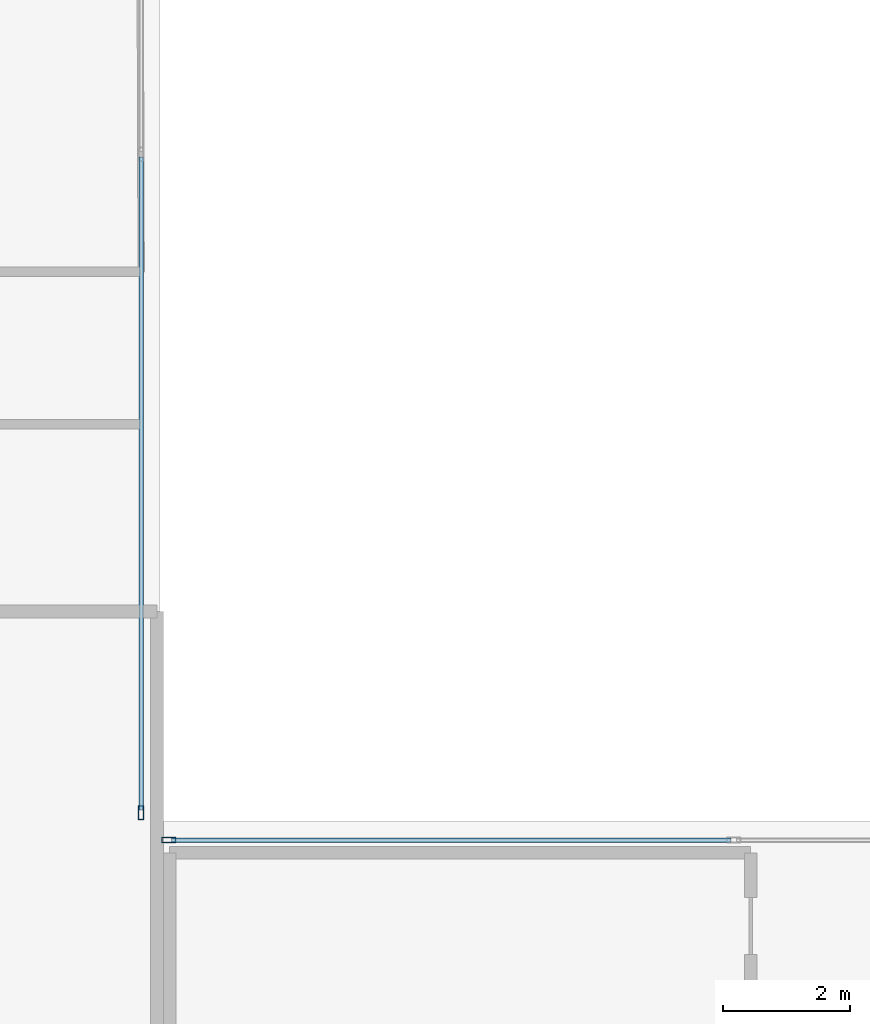
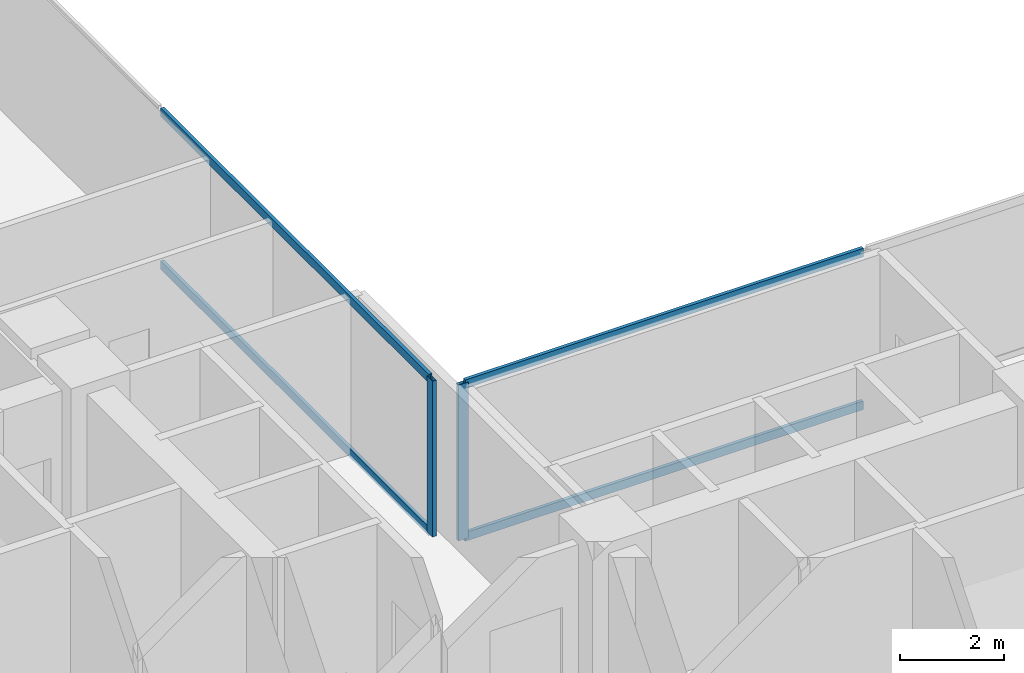
# One storey, part 7 of 27: 6 members, 2 elements without a shape of their own.
"""IFC4 building model written with IfcOpenShell, lengths in metres."""

from ifc_helpers import new_model, si_unit, direction, frame, origin, origin_2d, place, context, subcontext, project, spatial, hollow_rectangle, extrude, material, layer, layer_set, material_profile, profile_set, type_object, element, aggregate, save


model = new_model("IFC4")

# Units and contexts
model_context = context("Model", 3, precision=1e-05, world=origin(), true_north=direction((0.0, 1.0)))
body_context = subcontext(model_context, "Body", "Model", "MODEL_VIEW")
ifc_project = project(units=[si_unit("LENGTHUNIT", "METRE"), si_unit("AREAUNIT", "SQUARE_METRE"), si_unit("VOLUMEUNIT", "CUBIC_METRE"), si_unit("PLANEANGLEUNIT", "RADIAN"), si_unit("MASSUNIT", "GRAM", prefix="KILO"), si_unit("THERMODYNAMICTEMPERATUREUNIT", "KELVIN"), si_unit("POWERUNIT", "WATT")], contexts=[model_context])

# Site, building, storey
site_placement = place(None, origin())
site = spatial("IfcSite", under=ifc_project, at=site_placement, CompositionType="ELEMENT")
building_placement = place(site_placement, origin())
building = spatial("IfcBuilding", under=site, at=building_placement, Name="Svarakhadi Broadcast Tower", CompositionType="ELEMENT")
storey_placement = place(building_placement, frame((0.0, 0.0, 40.199951171875)))
storey = spatial("IfcBuildingStorey", under=building, at=storey_placement, Name="L08", CompositionType="ELEMENT", Elevation=40.199951171875)

# Curtain wall, member
ifc_material = material(Name="Anodised Bronze Aluminium AA 6063-T6", Category="aluminium")
ifc_layer = layer(ifc_material, 0.219970703125)
ifc_layer_set = layer_set([ifc_layer], Name="Anodised Bronze Aluminium AA 6063-T6")
curtain_wall_type = type_object("IfcCurtainWallType", Name="CW_Sys_02", PredefinedType="NOTDEFINED", material=ifc_layer_set)
curtain_wall_1_placement = place(storey_placement, origin())
curtain_wall_1 = element("IfcCurtainWall", 1, at=curtain_wall_1_placement, inside=storey, type_object=curtain_wall_type, Name="L08 Unitised Facade Curtain Wall 09", PredefinedType="NOTDEFINED")
ifc_material_profile_1 = material_profile(ifc_material, hollow_rectangle(XDim=0.0849609375, YDim=0.219970703125, WallThickness=0.006103515625, at=origin_2d()), Name="ALU MULLION 220x85x6")
ifc_profile_set_1 = profile_set([ifc_material_profile_1], Name="Anodised Bronze Aluminium AA 6063-T6")
member_type_1 = type_object("IfcMemberType", Name="CW_Sys_02_Mul", PredefinedType="MULLION", material=ifc_profile_set_1)
member_1_placement = place(storey_placement, frame((23.699951171875, 24.132568359375, 0.0), z_axis=(0.0, 0.0, 1.0), x_axis=(1.0, 0.0, 0.0)))
member_1 = element("IfcMember", 2, at=member_1_placement, type_object=member_type_1, Name="CW-02 mullion 3", PredefinedType="MULLION", context=body_context, shape_type="SweptSolid", body=[
    extrude(hollow_rectangle(XDim=0.0849609375, YDim=0.219970703125, WallThickness=0.006103515625, at=origin_2d()), origin(), (0.0, 0.0, 1.0), 3.650146484375),
])

curtain_wall_2_placement = place(storey_placement, origin())
curtain_wall_2 = element("IfcCurtainWall", 3, at=curtain_wall_2_placement, inside=storey, type_object=curtain_wall_type, Name="L08 Unitised Facade Curtain Wall 10", PredefinedType="NOTDEFINED")
member_2_placement = place(storey_placement, frame((24.132568359375, 23.699951171875, 0.0), z_axis=(0.0, 0.0, 1.0), x_axis=(0.0, 1.0, 0.0)))
member_2 = element("IfcMember", 4, at=member_2_placement, type_object=member_type_1, Name="CW-02 mullion 1", PredefinedType="MULLION", context=body_context, shape_type="SweptSolid", body=[
    extrude(hollow_rectangle(XDim=0.0849609375, YDim=0.219970703125, WallThickness=0.006103515625, at=origin_2d()), origin(), (0.0, 0.0, 1.0), 3.650146484375),
])

# Member
ifc_material_profile_2 = material_profile(ifc_material, hollow_rectangle(XDim=0.074951171875, YDim=0.199951171875, WallThickness=0.0048828125, at=origin_2d()), Name="ALU TRANSOM 200x75x5")
ifc_profile_set_2 = profile_set([ifc_material_profile_2], Name="Anodised Bronze Aluminium AA 6063-T6")
member_type_2 = type_object("IfcMemberType", Name="CW_Sys_02_Trn", PredefinedType="USERDEFINED", material=ifc_profile_set_2)
member_3_placement = place(storey_placement, frame((23.699951171875, 34.45751953125, 0.03759765625), z_axis=(0.0, -1.0, 0.0), x_axis=(1.0, 0.0, 0.0)))
member_3 = element("IfcMember", 5, at=member_3_placement, type_object=member_type_2, Name="CW-02 transom 2.1", ObjectType="TRANSOM", PredefinedType="USERDEFINED", context=body_context, shape_type="SweptSolid", body=[
    extrude(hollow_rectangle(XDim=0.074951171875, YDim=0.199951171875, WallThickness=0.0048828125, at=origin_2d()), origin(), (0.0, 0.0, 1.0), 10.282470703125),
])

member_4_placement = place(storey_placement, frame((23.699951171875, 34.45751953125, 3.612548828125), z_axis=(0.0, -1.0, 0.0), x_axis=(1.0, 0.0, 0.0)))
member_4 = element("IfcMember", 6, at=member_4_placement, type_object=member_type_2, Name="CW-02 transom 2.2", ObjectType="TRANSOM", PredefinedType="USERDEFINED", context=body_context, shape_type="SweptSolid", body=[
    extrude(hollow_rectangle(XDim=0.074951171875, YDim=0.199951171875, WallThickness=0.0048828125, at=origin_2d()), origin(), (0.0, 0.0, 1.0), 10.282470703125),
])

aggregate(curtain_wall_1, [member_1, member_3, member_4])

member_5_placement = place(storey_placement, frame((24.175048828125, 23.699951171875, 0.03759765625), z_axis=(1.0, 0.0, 0.0), x_axis=(0.0, 1.0, 0.0)))
member_5 = element("IfcMember", 7, at=member_5_placement, type_object=member_type_2, Name="CW-02 transom 1.1", ObjectType="TRANSOM", PredefinedType="USERDEFINED", context=body_context, shape_type="SweptSolid", body=[
    extrude(hollow_rectangle(XDim=0.074951171875, YDim=0.199951171875, WallThickness=0.0048828125, at=origin_2d()), origin(), (0.0, 0.0, 1.0), 8.8125),
])

member_6_placement = place(storey_placement, frame((24.175048828125, 23.699951171875, 3.612548828125), z_axis=(1.0, 0.0, 0.0), x_axis=(0.0, 1.0, 0.0)))
member_6 = element("IfcMember", 8, at=member_6_placement, type_object=member_type_2, Name="CW-02 transom 1.2", ObjectType="TRANSOM", PredefinedType="USERDEFINED", context=body_context, shape_type="SweptSolid", body=[
    extrude(hollow_rectangle(XDim=0.074951171875, YDim=0.199951171875, WallThickness=0.0048828125, at=origin_2d()), origin(), (0.0, 0.0, 1.0), 8.8125),
])

aggregate(curtain_wall_2, [member_2, member_5, member_6])

save(model, "model.ifc")
